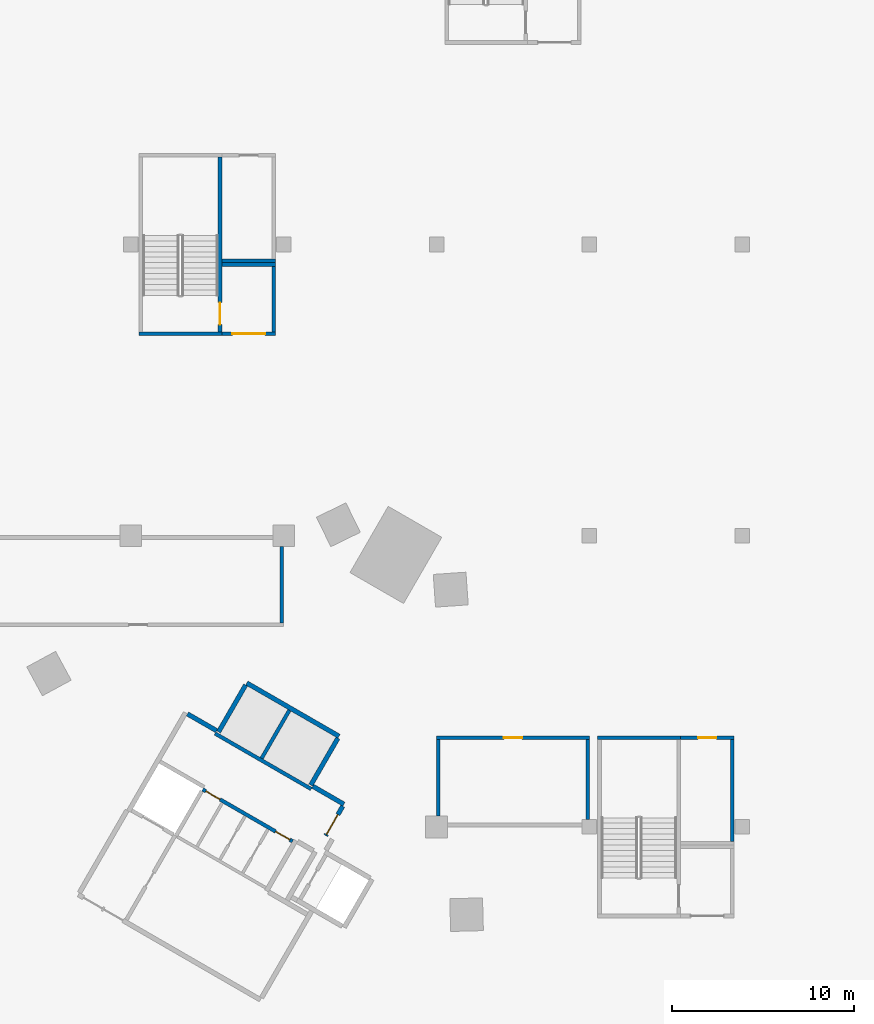
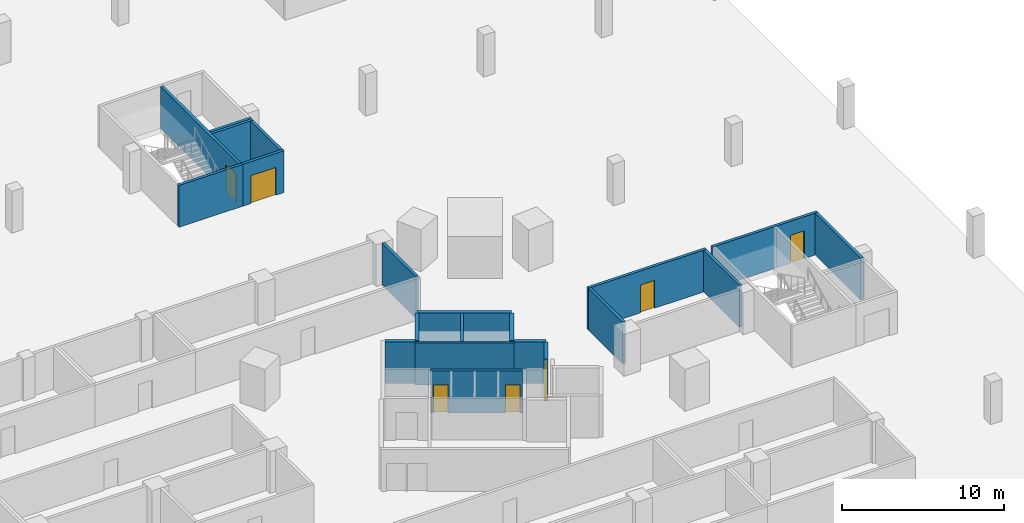
# One storey, part 14 of 37: 22 walls, 7 doors, 7 openings.
"""IFC4 building model written with IfcOpenShell, lengths in metres."""

from ifc_helpers import new_model, si_unit, direction, frame, frame_2d, origin, place, context, subcontext, project, spatial, rectangle, extrude, material, layer, layer_set, type_object, element, fill, save


model = new_model("IFC4")

# Units and contexts
model_context = context("Model", 3, precision=1e-05, world=origin(), true_north=direction((0.0, 1.0)))
body_context = subcontext(model_context, "Body", "Model", "MODEL_VIEW")
ifc_project = project(units=[si_unit("LENGTHUNIT", "METRE"), si_unit("AREAUNIT", "SQUARE_METRE"), si_unit("VOLUMEUNIT", "CUBIC_METRE"), si_unit("PLANEANGLEUNIT", "RADIAN"), si_unit("MASSUNIT", "GRAM", prefix="KILO")], contexts=[model_context])

# Site, building, storey
site_placement = place(None, origin())
site = spatial("IfcSite", under=ifc_project, at=site_placement, CompositionType="ELEMENT")
building_placement = place(site_placement, origin())
building = spatial("IfcBuilding", under=site, at=building_placement, Name="Tamra Quay Hotel Tower", CompositionType="ELEMENT")
storey_placement = place(building_placement, frame((0.0, 0.0, -3.60009765625)))
storey = spatial("IfcBuildingStorey", under=building, at=storey_placement, Name="B1", CompositionType="ELEMENT", Elevation=-3.60009765625)

# Wall, opening, door
ifc_material_1 = material(Name="Blockwork", Category="masonry")
ifc_layer_1 = layer(ifc_material_1, 0.199951171875)
ifc_layer_set_1 = layer_set([ifc_layer_1], Name="Car park room wall 200")
wall_type_1 = type_object("IfcWallType", Name="Car park room wall 200", PredefinedType="PARTITIONING", material=ifc_layer_set_1)
wall_1_placement = place(storey_placement, frame((20.10009765625, 20.89990234375, 0.0), z_axis=(0.0, 0.0, 1.0), x_axis=(1.0, 0.0, 0.0)))
wall_1 = element("IfcWall", 1, at=wall_1_placement, inside=storey, type_object=wall_type_1, Name="PW", PredefinedType="PARTITIONING", context=body_context, shape_type="SweptSolid", body=[
    extrude(rectangle(XDim=8.39990234375, YDim=0.199951171875, at=frame_2d((4.199951171875, 0.0))), origin(), (0.0, 0.0, 1.0), 3.150146484375),
])
opening_1_placement = place(wall_1_placement, frame((3.699951171875, 0.0, 0.0)))
opening_1 = element("IfcOpeningElement", 2, at=opening_1_placement, cuts=wall_1, Name="Opening PD1", PredefinedType="OPENING", context=body_context, shape_type="SweptSolid", body=[
    extrude(rectangle(XDim=1.0, YDim=2.10009765625, at=frame_2d((0.5, 1.050048828125))), frame((0.0, 0.10986328125, 0.0), z_axis=(0.0, -1.0, 0.0), x_axis=(1.0, 0.0, 0.0)), (0.0, 0.0, 1.0), 0.219970703125),
])
ifc_material_2 = material(Name="Car park door 1000 x 2100")
door_type_1 = type_object("IfcDoorType", Name="Car park door 1000 x 2100", OperationType="NOTDEFINED", PredefinedType="DOOR", material=ifc_material_2)
door_1_placement = place(opening_1_placement, origin())
door_1 = element("IfcDoor", 3, at=door_1_placement, inside=storey, type_object=door_type_1, Name="PD1", OperationType="SINGLE_SWING_LEFT", OverallHeight=2.10009765625, OverallWidth=1.0, PredefinedType="DOOR", context=body_context, shape_type="SweptSolid", body=[
    extrude(rectangle(XDim=1.0, YDim=2.10009765625, at=frame_2d((0.5, 1.050048828125))), frame((0.0, 0.02490234375, 0.0), z_axis=(0.0, -1.0, 0.0), x_axis=(1.0, 0.0, 0.0)), (0.0, 0.0, 1.0), 0.050048828125),
])
fill(opening_1, door_1)

# Walls
wall_2_placement = place(storey_placement, frame((20.199951171875, 16.60009765625, 0.0), z_axis=(0.0, 0.0, 1.0), x_axis=(0.0, 1.0, 0.0)))
element("IfcWall", 4, at=wall_2_placement, inside=storey, type_object=wall_type_1, Name="PW", PredefinedType="PARTITIONING", context=body_context, shape_type="SweptSolid", body=[
    extrude(rectangle(XDim=4.199951171875, YDim=0.199951171875, at=frame_2d((2.10009765625, 0.0))), origin(), (0.0, 0.0, 1.0), 3.150146484375),
])
wall_3_placement = place(storey_placement, frame((28.39990234375, 16.39990234375, 0.0), z_axis=(0.0, 0.0, 1.0), x_axis=(0.0, 1.0, 0.0)))
element("IfcWall", 5, at=wall_3_placement, inside=storey, type_object=wall_type_1, Name="PW", PredefinedType="PARTITIONING", context=body_context, shape_type="SweptSolid", body=[
    extrude(rectangle(XDim=4.400146484375, YDim=0.199951171875, at=frame_2d((2.2001953125, 0.0))), origin(), (0.0, 0.0, 1.0), 3.150146484375),
])
wall_4_placement = place(storey_placement, frame((11.60009765625, 27.199951171875, 0.0), z_axis=(0.0, 0.0, 1.0), x_axis=(0.0, 1.0, 0.0)))
element("IfcWall", 6, at=wall_4_placement, inside=storey, type_object=wall_type_1, Name="PW", PredefinedType="PARTITIONING", context=body_context, shape_type="SweptSolid", body=[
    extrude(rectangle(XDim=4.199951171875, YDim=0.199951171875, at=frame_2d((2.10009765625, 0.0))), origin(), (0.0, 0.0, 1.0), 3.150146484375),
])

# Wall, opening, door
wall_5_placement = place(storey_placement, frame((8.300048828125, 43.10009765625, 0.0), z_axis=(0.0, 0.0, 1.0), x_axis=(1.0, 0.0, 0.0)))
wall_5 = element("IfcWall", 7, at=wall_5_placement, inside=storey, type_object=wall_type_1, Name="PW", PredefinedType="PARTITIONING", context=body_context, shape_type="SweptSolid", body=[
    extrude(rectangle(XDim=2.949951171875, YDim=0.199951171875, at=frame_2d((1.47509765625, 0.0))), origin(), (0.0, 0.0, 1.0), 3.150146484375),
])
opening_2_placement = place(wall_5_placement, frame((0.574951171875, 0.0, 0.0)))
opening_2 = element("IfcOpeningElement", 8, at=opening_2_placement, cuts=wall_5, Name="Opening PD2", PredefinedType="OPENING", context=body_context, shape_type="SweptSolid", body=[
    extrude(rectangle(XDim=1.800048828125, YDim=2.10009765625, at=frame_2d((0.89990234375, 1.050048828125))), frame((0.0, 0.10986328125, 0.0), z_axis=(0.0, -1.0, 0.0), x_axis=(1.0, 0.0, 0.0)), (0.0, 0.0, 1.0), 0.219970703125),
])
ifc_material_3 = material(Name="Plant door 1800 x 2100")
door_type_2 = type_object("IfcDoorType", Name="Plant door 1800 x 2100", OperationType="DOUBLE_DOOR_SINGLE_SWING", PredefinedType="DOOR", material=ifc_material_3)
door_2_placement = place(opening_2_placement, origin())
door_2 = element("IfcDoor", 9, at=door_2_placement, inside=storey, type_object=door_type_2, Name="PD2", OperationType="DOUBLE_DOOR_SINGLE_SWING", OverallHeight=2.10009765625, OverallWidth=1.800048828125, PredefinedType="DOOR", context=body_context, shape_type="SweptSolid", body=[
    extrude(rectangle(XDim=1.800048828125, YDim=2.10009765625, at=frame_2d((0.89990234375, 1.050048828125))), frame((0.0, 0.02490234375, 0.0), z_axis=(0.0, -1.0, 0.0), x_axis=(1.0, 0.0, 0.0)), (0.0, 0.0, 1.0), 0.050048828125),
])
fill(opening_2, door_2)

# Walls
wall_6_placement = place(storey_placement, frame((8.300048828125, 46.89990234375, 0.0), z_axis=(0.0, 0.0, 1.0), x_axis=(1.0, 0.0, 0.0)))
element("IfcWall", 10, at=wall_6_placement, inside=storey, type_object=wall_type_1, Name="PW", PredefinedType="PARTITIONING", context=body_context, shape_type="SweptSolid", body=[
    extrude(rectangle(XDim=2.949951171875, YDim=0.199951171875, at=frame_2d((1.47509765625, 0.0))), origin(), (0.0, 0.0, 1.0), 3.150146484375),
])
wall_7_placement = place(storey_placement, frame((11.14990234375, 43.199951171875, 0.0), z_axis=(0.0, 0.0, 1.0), x_axis=(0.0, 1.0, 0.0)))
element("IfcWall", 11, at=wall_7_placement, inside=storey, type_object=wall_type_1, Name="PW", PredefinedType="PARTITIONING", context=body_context, shape_type="SweptSolid", body=[
    extrude(rectangle(XDim=3.60009765625, YDim=0.199951171875, at=frame_2d((1.800048828125, 0.0))), origin(), (0.0, 0.0, 1.0), 3.150146484375),
])
wall_8_placement = place(storey_placement, frame((8.300048828125, 47.10009765625, 0.0), z_axis=(0.0, 0.0, 1.0), x_axis=(1.0, 0.0, 0.0)))
element("IfcWall", 12, at=wall_8_placement, inside=storey, type_object=wall_type_1, Name="PW", PredefinedType="PARTITIONING", context=body_context, shape_type="SweptSolid", body=[
    extrude(rectangle(XDim=2.949951171875, YDim=0.199951171875, at=frame_2d((1.47509765625, 0.0))), origin(), (0.0, 0.0, 1.0), 3.150146484375),
])

# Wall, opening, door
wall_9_placement = place(storey_placement, frame((33.5, 20.89990234375, 0.0), z_axis=(0.0, 0.0, 1.0), x_axis=(1.0, 0.0, 0.0)))
wall_9 = element("IfcWall", 13, at=wall_9_placement, inside=storey, type_object=wall_type_1, Name="PW", PredefinedType="PARTITIONING", context=body_context, shape_type="SweptSolid", body=[
    extrude(rectangle(XDim=2.949951171875, YDim=0.199951171875, at=frame_2d((1.47509765625, 0.0))), origin(), (0.0, 0.0, 1.0), 3.150146484375),
])
opening_3_placement = place(wall_9_placement, frame((0.97509765625, 0.0, 0.0)))
opening_3 = element("IfcOpeningElement", 14, at=opening_3_placement, cuts=wall_9, Name="Opening PD1", PredefinedType="OPENING", context=body_context, shape_type="SweptSolid", body=[
    extrude(rectangle(XDim=1.0, YDim=2.10009765625, at=frame_2d((0.5, 1.050048828125))), frame((0.0, 0.10986328125, 0.0), z_axis=(0.0, -1.0, 0.0), x_axis=(1.0, 0.0, 0.0)), (0.0, 0.0, 1.0), 0.219970703125),
])
door_3_placement = place(opening_3_placement, origin())
door_3 = element("IfcDoor", 15, at=door_3_placement, inside=storey, type_object=door_type_1, Name="PD1", OperationType="SINGLE_SWING_LEFT", OverallHeight=2.10009765625, OverallWidth=1.0, PredefinedType="DOOR", context=body_context, shape_type="SweptSolid", body=[
    extrude(rectangle(XDim=1.0, YDim=2.10009765625, at=frame_2d((0.5, 1.050048828125))), frame((0.0, 0.02490234375, 0.0), z_axis=(0.0, -1.0, 0.0), x_axis=(1.0, 0.0, 0.0)), (0.0, 0.0, 1.0), 0.050048828125),
])
fill(opening_3, door_3)

# Walls
wall_10_placement = place(storey_placement, frame((36.35009765625, 15.199951171875, 0.0), z_axis=(0.0, 0.0, 1.0), x_axis=(0.0, 1.0, 0.0)))
element("IfcWall", 16, at=wall_10_placement, inside=storey, type_object=wall_type_1, Name="PW", PredefinedType="PARTITIONING", context=body_context, shape_type="SweptSolid", body=[
    extrude(rectangle(XDim=5.60009765625, YDim=0.199951171875, at=frame_2d((2.800048828125, 0.0))), origin(), (0.0, 0.0, 1.0), 3.150146484375),
])
ifc_material_4 = material(Name="Concrete M70", Category="concrete")
ifc_layer_2 = layer(ifc_material_4, 0.199951171875)
ifc_layer_set_2 = layer_set([ifc_layer_2], Name="Concrete M70 core wall 200")
wall_type_2 = type_object("IfcWallType", Name="Concrete M70 core wall 200", PredefinedType="SHEAR", material=ifc_layer_set_2)
wall_11_placement = place(storey_placement, frame((13.209716796875, 18.07958984375, 0.0), z_axis=(0.0, 0.0, 1.0), x_axis=(-0.866030299012, 0.499991521122, 0.0)))
element("IfcWall", 17, at=wall_11_placement, inside=storey, type_object=wall_type_2, Name="CW2", PredefinedType="SHEAR", context=body_context, shape_type="SweptSolid", body=[
    extrude(rectangle(XDim=6.10009765625, YDim=0.199951171875, at=frame_2d((3.050048828125, 0.0))), origin(), (0.0, 0.0, 1.0), 3.150146484375),
])

# Wall, openings, doors
wall_12_placement = place(storey_placement, frame((12.18505859375, 15.20703125, 0.0), z_axis=(0.0, 0.0, 1.0), x_axis=(-0.866020080793, 0.500009219579, 0.0)))
wall_12 = element("IfcWall", 18, at=wall_12_placement, inside=storey, type_object=wall_type_2, Name="CW2", PredefinedType="SHEAR", context=body_context, shape_type="SweptSolid", body=[
    extrude(rectangle(XDim=5.69921875, YDim=0.199951171875, at=frame_2d((2.849609375, 0.0))), origin(), (0.0, 0.0, 1.0), 3.150146484375),
])
opening_4_placement = place(wall_12_placement, frame((0.174072265625, 0.0, 0.0)))
opening_4 = element("IfcOpeningElement", 19, at=opening_4_placement, cuts=wall_12, Name="Opening D2", PredefinedType="OPENING", context=body_context, shape_type="SweptSolid", body=[
    extrude(rectangle(XDim=0.89990234375, YDim=2.10009765625, at=frame_2d((0.449951171875, 1.050048828125))), frame((0.0, 0.10986328125, 0.0), z_axis=(0.0, -1.0, 0.0), x_axis=(1.0, 0.0, 0.0)), (0.0, 0.0, 1.0), 0.219970703125),
])
opening_5_placement = place(wall_12_placement, frame((4.59912109375, 0.0, 0.0)))
opening_5 = element("IfcOpeningElement", 20, at=opening_5_placement, cuts=wall_12, Name="Opening D2", PredefinedType="OPENING", context=body_context, shape_type="SweptSolid", body=[
    extrude(rectangle(XDim=0.89990234375, YDim=2.10009765625, at=frame_2d((0.449951171875, 1.050048828125))), frame((0.0, 0.10986328125, 0.0), z_axis=(0.0, -1.0, 0.0), x_axis=(1.0, 0.0, 0.0)), (0.0, 0.0, 1.0), 0.219970703125),
])
ifc_material_5 = material(Name="Core door D2 900x2100 LH")
door_type_3 = type_object("IfcDoorType", Name="Core door D2 900x2100 LH", OperationType="NOTDEFINED", PredefinedType="DOOR", material=ifc_material_5)
door_4_placement = place(opening_4_placement, origin())
door_4 = element("IfcDoor", 21, at=door_4_placement, inside=storey, type_object=door_type_3, Name="D2", OperationType="SINGLE_SWING_LEFT", OverallHeight=2.10009765625, OverallWidth=0.89990234375, PredefinedType="DOOR", context=body_context, shape_type="SweptSolid", body=[
    extrude(rectangle(XDim=0.89990234375, YDim=2.10009765625, at=frame_2d((0.449951171875, 1.050048828125))), frame((0.0, 0.02490234375, 0.0), z_axis=(0.0, -1.0, 0.0), x_axis=(1.0, 0.0, 0.0)), (0.0, 0.0, 1.0), 0.050048828125),
])
fill(opening_4, door_4)
ifc_material_6 = material(Name="Core door D2 900x2100 RH")
door_type_4 = type_object("IfcDoorType", Name="Core door D2 900x2100 RH", OperationType="NOTDEFINED", PredefinedType="DOOR", material=ifc_material_6)
door_5_placement = place(opening_5_placement, origin())
door_5 = element("IfcDoor", 22, at=door_5_placement, inside=storey, type_object=door_type_4, Name="D2", OperationType="SINGLE_SWING_RIGHT", OverallHeight=2.10009765625, OverallWidth=0.89990234375, PredefinedType="DOOR", context=body_context, shape_type="SweptSolid", body=[
    extrude(rectangle(XDim=0.89990234375, YDim=2.10009765625, at=frame_2d((0.449951171875, 1.050048828125))), frame((0.0, 0.02490234375, 0.0), z_axis=(0.0, -1.0, 0.0), x_axis=(1.0, 0.0, 0.0)), (0.0, 0.0, 1.0), 0.050048828125),
])
fill(opening_5, door_5)

# Walls
wall_13_placement = place(storey_placement, frame((10.48876953125, 19.76708984375, 0.0), z_axis=(0.0, 0.0, 1.0), x_axis=(0.499946628782, 0.866056215479, 0.0)))
element("IfcWall", 23, at=wall_13_placement, inside=storey, type_object=wall_type_2, Name="CW2", PredefinedType="SHEAR", context=body_context, shape_type="SweptSolid", body=[
    extrude(rectangle(XDim=3.048095703125, YDim=0.199951171875, at=frame_2d((1.52392578125, 0.0))), origin(), (0.0, 0.0, 1.0), 3.150146484375),
])
ifc_layer_3 = layer(ifc_material_4, 0.25)
ifc_layer_set_3 = layer_set([ifc_layer_3], Name="Concrete M70 core wall 250")
wall_type_3 = type_object("IfcWallType", Name="Concrete M70 core wall 250", PredefinedType="SHEAR", material=ifc_layer_set_3)
wall_14_placement = place(storey_placement, frame((9.672607421875, 23.9033203125, 0.0), z_axis=(0.0, 0.0, 1.0), x_axis=(0.86603616409, -0.499981362141, 0.0)))
element("IfcWall", 24, at=wall_14_placement, inside=storey, type_object=wall_type_3, Name="CW1", PredefinedType="SHEAR", context=body_context, shape_type="SweptSolid", body=[
    extrude(rectangle(XDim=5.849853515625, YDim=0.25, at=frame_2d((2.9248046875, 0.0))), origin(), (0.0, 0.0, 1.0), 3.150146484375),
])
for number, where, z_axis, x_axis, name in (
    (25, (8.12255859375, 21.21875, 0.0), (0.0, 0.0, 1.0), (0.499987686533, 0.866032512851, 0.0), "CW1"),
    (26, (14.67626953125, 20.869873046875, 0.0), (0.0, 0.0, 1.0), (-0.499987686533, -0.866032512851, 0.0), "CW1"),
):
    element("IfcWall", number, at=place(storey_placement, frame(where, z_axis=z_axis, x_axis=x_axis)), inside=storey, type_object=wall_type_3, Name=name, PredefinedType="SHEAR", context=body_context, shape_type="SweptSolid", body=[
        extrude(rectangle(XDim=2.974609375, YDim=0.25, at=frame_2d((1.4873046875, 0.0))), origin(), (0.0, 0.0, 1.0), 3.150146484375),
    ])
wall_15_placement = place(storey_placement, frame((13.29736328125, 18.23095703125, 0.0), z_axis=(0.0, 0.0, 1.0), x_axis=(0.866043531843, -0.499968599967, 0.0)))
element("IfcWall", 27, at=wall_15_placement, inside=storey, type_object=wall_type_3, Name="CW1", PredefinedType="SHEAR", context=body_context, shape_type="SweptSolid", body=[
    extrude(rectangle(XDim=1.974853515625, YDim=0.25, at=frame_2d((0.9873046875, 0.0))), origin(), (0.0, 0.0, 1.0), 3.150146484375),
])
wall_16_placement = place(storey_placement, frame((6.41259765625, 22.2060546875, 0.0), z_axis=(0.0, 0.0, 1.0), x_axis=(0.866016279763, -0.500015802937, 0.0)))
element("IfcWall", 28, at=wall_16_placement, inside=storey, type_object=wall_type_3, Name="CW1", PredefinedType="SHEAR", context=body_context, shape_type="SweptSolid", body=[
    extrude(rectangle(XDim=1.84912109375, YDim=0.25, at=frame_2d((0.924560546875, 0.0))), origin(), (0.0, 0.0, 1.0), 3.150146484375),
])

# Wall, opening, door
wall_17_placement = place(storey_placement, frame((14.94482421875, 17.13525390625, 0.0), z_axis=(0.0, 0.0, 1.0), x_axis=(-0.499983108224, -0.866035156036, 0.0)))
wall_17 = element("IfcWall", 29, at=wall_17_placement, inside=storey, type_object=wall_type_3, Name="CW1", PredefinedType="SHEAR", context=body_context, shape_type="SweptSolid", body=[
    extrude(rectangle(XDim=1.86474609375, YDim=0.25, at=frame_2d((0.932373046875, 0.0))), origin(), (0.0, 0.0, 1.0), 3.150146484375),
])
opening_6_placement = place(wall_17_placement, frame((0.53466796875, 0.0, 0.0)))
opening_6 = element("IfcOpeningElement", 30, at=opening_6_placement, cuts=wall_17, Name="Opening FD3", PredefinedType="OPENING", context=body_context, shape_type="SweptSolid", body=[
    extrude(rectangle(XDim=1.25, YDim=2.10009765625, at=frame_2d((0.625, 1.050048828125))), frame((0.0, 0.135009765625, 0.0), z_axis=(0.0, -1.0, 0.0), x_axis=(1.0, 0.0, 0.0)), (0.0, 0.0, 1.0), 0.27001953125),
])
ifc_material_7 = material(Name="Core door FD3 1250x2100 LH")
door_type_5 = type_object("IfcDoorType", Name="Core door FD3 1250x2100 LH", OperationType="NOTDEFINED", PredefinedType="DOOR", material=ifc_material_7)
door_6_placement = place(opening_6_placement, origin())
door_6 = element("IfcDoor", 31, at=door_6_placement, inside=storey, type_object=door_type_5, Name="FD3", OperationType="SINGLE_SWING_LEFT", OverallHeight=2.10009765625, OverallWidth=1.25, PredefinedType="DOOR", context=body_context, shape_type="SweptSolid", body=[
    extrude(rectangle(XDim=1.25, YDim=2.10009765625, at=frame_2d((0.625, 1.050048828125))), frame((0.0, 0.02490234375, 0.0), z_axis=(0.0, -1.0, 0.0), x_axis=(1.0, 0.0, 0.0)), (0.0, 0.0, 1.0), 0.050048828125),
])
fill(opening_6, door_6)

ifc_layer_4 = layer(ifc_material_4, 0.199951171875)
ifc_layer_set_4 = layer_set([ifc_layer_4], Name="Concrete M70 stair enclosure wall 200")
wall_type_4 = type_object("IfcWallType", Name="Concrete M70 stair enclosure wall 200", PredefinedType="SOLIDWALL", material=ifc_layer_set_4)
wall_18_placement = place(storey_placement, frame((8.199951171875, 43.199951171875, 0.0), z_axis=(0.0, 0.0, 1.0), x_axis=(0.0, 1.0, 0.0)))
wall_18 = element("IfcWall", 32, at=wall_18_placement, inside=storey, type_object=wall_type_4, Name="SEW", PredefinedType="SOLIDWALL", context=body_context, shape_type="SweptSolid", body=[
    extrude(rectangle(XDim=9.60009765625, YDim=0.199951171875, at=frame_2d((4.800048828125, 0.0))), origin(), (0.0, 0.0, 1.0), 3.150146484375),
])
opening_7_placement = place(wall_18_placement, frame((0.39990234375, 0.0, 0.0)))
opening_7 = element("IfcOpeningElement", 33, at=opening_7_placement, cuts=wall_18, Name="Opening SD1", PredefinedType="OPENING", context=body_context, shape_type="SweptSolid", body=[
    extrude(rectangle(XDim=1.199951171875, YDim=2.10009765625, at=frame_2d((0.60009765625, 1.050048828125))), frame((0.0, 0.10986328125, 0.0), z_axis=(0.0, -1.0, 0.0), x_axis=(1.0, 0.0, 0.0)), (0.0, 0.0, 1.0), 0.219970703125),
])
ifc_material_8 = material(Name="Stair door 1200 x 2100")
door_type_6 = type_object("IfcDoorType", Name="Stair door 1200 x 2100", OperationType="NOTDEFINED", PredefinedType="DOOR", material=ifc_material_8)
door_7_placement = place(opening_7_placement, origin())
door_7 = element("IfcDoor", 34, at=door_7_placement, inside=storey, type_object=door_type_6, Name="SD1", OperationType="SINGLE_SWING_LEFT", OverallHeight=2.10009765625, OverallWidth=1.199951171875, PredefinedType="DOOR", context=body_context, shape_type="SweptSolid", body=[
    extrude(rectangle(XDim=1.199951171875, YDim=2.10009765625, at=frame_2d((0.60009765625, 1.050048828125))), frame((0.0, 0.02490234375, 0.0), z_axis=(0.0, -1.0, 0.0), x_axis=(1.0, 0.0, 0.0)), (0.0, 0.0, 1.0), 0.050048828125),
])
fill(opening_7, door_7)

# Walls
for number, where, z_axis, x_axis, name in (
    (35, (8.300048828125, 43.10009765625, 0.0), (0.0, 0.0, 1.0), (-1.0, 0.0, 0.0), "SEW"),
    (36, (28.949951171875, 20.89990234375, 0.0), (0.0, 0.0, 1.0), (1.0, 0.0, 0.0), "SEW"),
):
    element("IfcWall", number, at=place(storey_placement, frame(where, z_axis=z_axis, x_axis=x_axis)), inside=storey, type_object=wall_type_4, Name=name, PredefinedType="SOLIDWALL", context=body_context, shape_type="SweptSolid", body=[
        extrude(rectangle(XDim=4.550048828125, YDim=0.199951171875, at=frame_2d((2.27490234375, 0.0))), origin(), (0.0, 0.0, 1.0), 3.150146484375),
    ])

save(model, "model.ifc")
